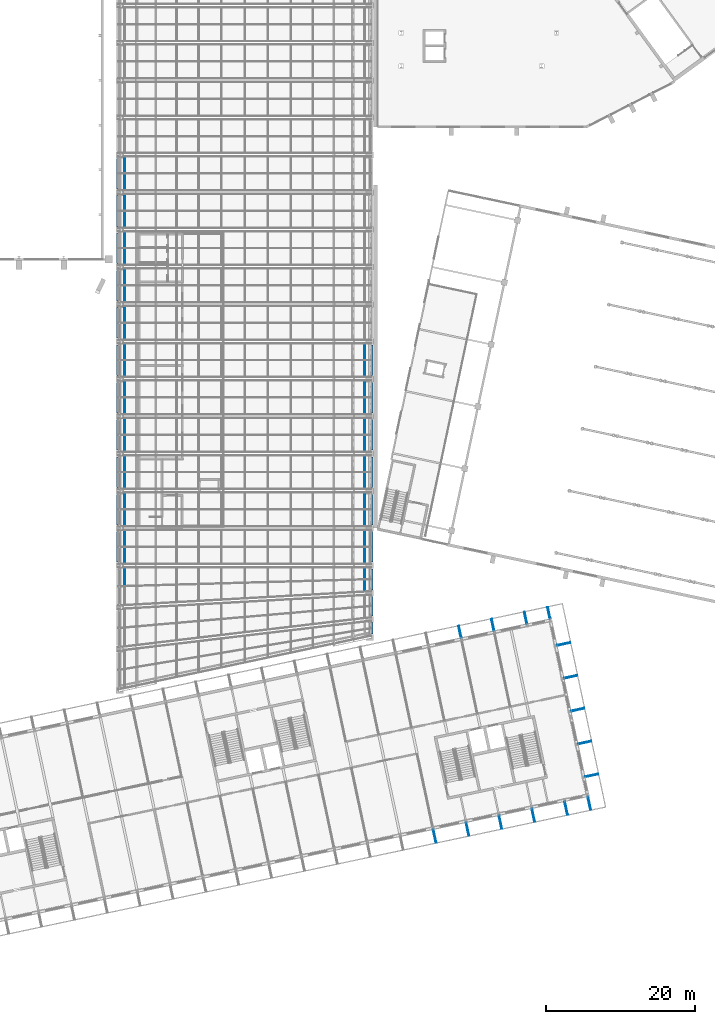
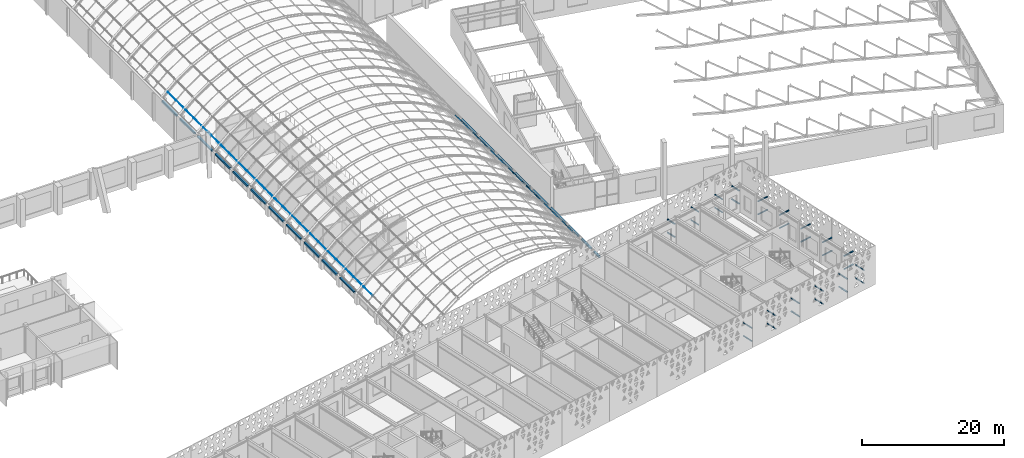
# One storey, part 154 of 182: 87 discrete accessories.
"""IFC4 building model written with IfcOpenShell, lengths in metres."""

from ifc_helpers import new_model, si_unit, direction, frame, origin, origin_2d, place, context, subcontext, project, spatial, polyline, rectangle, outline, extrude, material, material_profile, profile_set, type_object, element, save


model = new_model("IFC4")

# Units and contexts
model_context = context("Model", 3, precision=1e-05, world=origin(), true_north=direction((0.0, 1.0)))
body_context = subcontext(model_context, "Body", "Model", "MODEL_VIEW")
ifc_project = project(units=[si_unit("LENGTHUNIT", "METRE"), si_unit("AREAUNIT", "SQUARE_METRE"), si_unit("VOLUMEUNIT", "CUBIC_METRE"), si_unit("PLANEANGLEUNIT", "RADIAN"), si_unit("MASSUNIT", "GRAM", prefix="KILO")], contexts=[model_context])

# Site, building, storey
site_placement = place(None, origin())
site = spatial("IfcSite", under=ifc_project, at=site_placement, CompositionType="ELEMENT")
building_placement = place(site_placement, origin())
building = spatial("IfcBuilding", under=site, at=building_placement, Name="Okhra Congress Centre", CompositionType="ELEMENT")
storey_placement = place(building_placement, frame((0.0, 0.0, 7.199951171875)))
storey = spatial("IfcBuildingStorey", under=building, at=storey_placement, Name="L01", CompositionType="ELEMENT", Elevation=7.199951171875)

# Discrete accessories
ifc_material_1 = material(Name="Stainless steel box gutter with self-regulating heating cable", Category="steel")
discrete_accessory_type_1 = type_object("IfcDiscreteAccessoryType", Name="Heated eaves gutter 300x300", PredefinedType="USERDEFINED", material=ifc_material_1)
discrete_accessory_1_placement = place(storey_placement, frame((189.300048828125, 82.58447265625, 1.5), z_axis=(0.0, 0.0, 1.0), x_axis=(1.0, 0.0, 0.0)))
element("IfcDiscreteAccessory", 1, at=discrete_accessory_1_placement, inside=storey, type_object=discrete_accessory_type_1, Name="Heated eaves gutter", ObjectType="HEATED GUTTER", PredefinedType="USERDEFINED", context=body_context, shape_type="SweptSolid", body=[
    extrude(rectangle(XDim=0.300048828125, YDim=1.53076171875, at=origin_2d()), origin(), (0.0, 0.0, 1.0), 0.300048828125),
])
discrete_accessory_2_placement = place(storey_placement, frame((189.300048828125, 85.550048828125, 1.5), z_axis=(0.0, 0.0, 1.0), x_axis=(1.0, 0.0, 0.0)))
element("IfcDiscreteAccessory", 2, at=discrete_accessory_2_placement, inside=storey, type_object=discrete_accessory_type_1, Name="Heated eaves gutter", ObjectType="HEATED GUTTER", PredefinedType="USERDEFINED", context=body_context, shape_type="SweptSolid", body=[
    extrude(rectangle(XDim=0.300048828125, YDim=2.60009765625, at=origin_2d()), origin(), (0.0, 0.0, 1.0), 0.300048828125),
])
discrete_accessory_3_placement = place(storey_placement, frame((189.300048828125, 89.14990234375, 1.5), z_axis=(0.0, 0.0, 1.0), x_axis=(1.0, 0.0, 0.0)))
element("IfcDiscreteAccessory", 3, at=discrete_accessory_3_placement, inside=storey, type_object=discrete_accessory_type_1, Name="Heated eaves gutter", ObjectType="HEATED GUTTER", PredefinedType="USERDEFINED", context=body_context, shape_type="SweptSolid", body=[
    extrude(rectangle(XDim=0.300048828125, YDim=2.800048828125, at=origin_2d()), origin(), (0.0, 0.0, 1.0), 0.300048828125),
])
for number, where, z_axis, x_axis, name in (
    (4, (155.199951171875, 93.5, 1.5), (0.0, 0.0, 1.0), (1.0, 0.0, 0.0), "Heated eaves gutter"),
    (5, (189.300048828125, 93.5, 1.5), (0.0, 0.0, 1.0), (1.0, 0.0, 0.0), "Heated eaves gutter"),
    (6, (155.199951171875, 98.5, 1.5), (0.0, 0.0, 1.0), (1.0, 0.0, 0.0), "Heated eaves gutter"),
    (7, (189.300048828125, 98.5, 1.5), (0.0, 0.0, 1.0), (1.0, 0.0, 0.0), "Heated eaves gutter"),
    (8, (155.199951171875, 103.5, 1.5), (0.0, 0.0, 1.0), (1.0, 0.0, 0.0), "Heated eaves gutter"),
    (9, (189.300048828125, 103.5, 1.5), (0.0, 0.0, 1.0), (1.0, 0.0, 0.0), "Heated eaves gutter"),
    (10, (155.199951171875, 108.5, 1.5), (0.0, 0.0, 1.0), (1.0, 0.0, 0.0), "Heated eaves gutter"),
    (11, (189.300048828125, 108.5, 1.5), (0.0, 0.0, 1.0), (1.0, 0.0, 0.0), "Heated eaves gutter"),
    (12, (155.199951171875, 113.5, 1.5), (0.0, 0.0, 1.0), (1.0, 0.0, 0.0), "Heated eaves gutter"),
    (13, (189.300048828125, 113.5, 1.5), (0.0, 0.0, 1.0), (1.0, 0.0, 0.0), "Heated eaves gutter"),
    (14, (155.199951171875, 118.5, 1.5), (0.0, 0.0, 1.0), (1.0, 0.0, 0.0), "Heated eaves gutter"),
    (15, (189.300048828125, 118.5, 1.5), (0.0, 0.0, 1.0), (1.0, 0.0, 0.0), "Heated eaves gutter"),
    (16, (155.199951171875, 123.5, 1.5), (0.0, 0.0, 1.0), (1.0, 0.0, 0.0), "Heated eaves gutter"),
    (17, (155.199951171875, 128.5, 1.5), (0.0, 0.0, 1.0), (1.0, 0.0, 0.0), "Heated eaves gutter"),
    (18, (155.199951171875, 133.5, 1.5), (0.0, 0.0, 1.0), (1.0, 0.0, 0.0), "Heated eaves gutter"),
    (19, (155.199951171875, 138.5, 1.5), (0.0, 0.0, 1.0), (1.0, 0.0, 0.0), "Heated eaves gutter"),
    (20, (155.199951171875, 143.5, 1.5), (0.0, 0.0, 1.0), (1.0, 0.0, 0.0), "Heated eaves gutter"),
):
    element("IfcDiscreteAccessory", number, at=place(storey_placement, frame(where, z_axis=z_axis, x_axis=x_axis)), inside=storey, type_object=discrete_accessory_type_1, Name=name, ObjectType="HEATED GUTTER", PredefinedType="USERDEFINED", context=body_context, shape_type="SweptSolid", body=[
        extrude(rectangle(XDim=0.300048828125, YDim=4.10009765625, at=origin_2d()), origin(), (0.0, 0.0, 1.0), 0.300048828125),
    ])
ifc_material_2 = material(Name="Steel S355J2 outrigger, galvanised", Category="steel")
ifc_material_profile = material_profile(ifc_material_2, rectangle(XDim=0.1201171875, YDim=0.1201171875, at=origin_2d()), Name="Screen outrigger bracket 120x120")
ifc_profile_set = profile_set([ifc_material_profile], Name="Steel S355J2 outrigger, galvanised")
discrete_accessory_type_2 = type_object("IfcDiscreteAccessoryType", Name="Screen outrigger bracket 120x120", PredefinedType="BRACKET", material=ifc_profile_set)
for number, where, z_axis, x_axis, name in (
    (21, (197.50830078125, 55.59765625, 1.130126953125), (0.207913352163, -0.978147247602, 0.0), (0.978147247602, 0.207913352163, 0.0), "Screen outrigger 552"),
    (22, (197.50830078125, 55.59765625, 3.3701171875), (0.207913352163, -0.978147247602, 0.0), (0.978147247602, 0.207913352163, 0.0), "Screen outrigger 553"),
):
    element("IfcDiscreteAccessory", number, at=place(storey_placement, frame(where, z_axis=z_axis, x_axis=x_axis)), inside=storey, type_object=discrete_accessory_type_2, Name=name, PredefinedType="BRACKET", context=body_context, shape_type="SweptSolid", body=[
        extrude(rectangle(XDim=0.1201171875, YDim=0.1201171875, at=origin_2d()), origin(), (0.0, 0.0, 1.0), 1.764892578125),
    ])
for number, where, z_axis, x_axis, name in (
    (23, (201.909912109375, 56.533447265625, 1.130126953125), (0.207885223274, -0.97815322621, 0.0), (0.97815322621, 0.207885223274, 0.0), "Screen outrigger 573"),
    (24, (201.909912109375, 56.533447265625, 3.3701171875), (0.207885223274, -0.97815322621, 0.0), (0.97815322621, 0.207885223274, 0.0), "Screen outrigger 574"),
    (25, (206.311767578125, 57.468994140625, 1.130126953125), (0.207885223274, -0.97815322621, 0.0), (0.97815322621, 0.207885223274, 0.0), "Screen outrigger 594"),
    (26, (206.311767578125, 57.468994140625, 3.3701171875), (0.207885223274, -0.97815322621, 0.0), (0.97815322621, 0.207885223274, 0.0), "Screen outrigger 595"),
):
    element("IfcDiscreteAccessory", number, at=place(storey_placement, frame(where, z_axis=z_axis, x_axis=x_axis)), inside=storey, type_object=discrete_accessory_type_2, Name=name, PredefinedType="BRACKET", context=body_context, shape_type="SweptSolid", body=[
        extrude(rectangle(XDim=0.1201171875, YDim=0.1201171875, at=origin_2d()), origin(), (0.0, 0.0, 1.0), 1.76513671875),
    ])
for number, where, z_axis, x_axis, name in (
    (27, (201.230224609375, 81.374755859375, 1.130126953125), (-0.207920316953, 0.978145767152, 0.0), (-0.978145767152, -0.207920316953, 0.0), "Screen outrigger 605"),
    (28, (201.230224609375, 81.374755859375, 3.3701171875), (-0.207920316953, 0.978145767152, 0.0), (-0.978145767152, -0.207920316953, 0.0), "Screen outrigger 606"),
):
    element("IfcDiscreteAccessory", number, at=place(storey_placement, frame(where, z_axis=z_axis, x_axis=x_axis)), inside=storey, type_object=discrete_accessory_type_2, Name=name, PredefinedType="BRACKET", context=body_context, shape_type="SweptSolid", body=[
        extrude(rectangle(XDim=0.1201171875, YDim=0.1201171875, at=origin_2d()), origin(), (0.0, 0.0, 1.0), 1.565185546875),
    ])
for number, where, z_axis, x_axis, name in (
    (29, (210.71337890625, 58.404541015625, 1.130126953125), (0.207913352163, -0.978147247602, 0.0), (0.978147247602, 0.207913352163, 0.0), "Screen outrigger 616"),
    (30, (210.71337890625, 58.404541015625, 3.3701171875), (0.207913352163, -0.978147247602, 0.0), (0.978147247602, 0.207913352163, 0.0), "Screen outrigger 617"),
):
    element("IfcDiscreteAccessory", number, at=place(storey_placement, frame(where, z_axis=z_axis, x_axis=x_axis)), inside=storey, type_object=discrete_accessory_type_2, Name=name, PredefinedType="BRACKET", context=body_context, shape_type="SweptSolid", body=[
        extrude(rectangle(XDim=0.1201171875, YDim=0.1201171875, at=origin_2d()), origin(), (0.0, 0.0, 1.0), 1.764892578125),
    ])
for number, where, z_axis, x_axis, name in (
    (31, (205.6318359375, 82.310546875, 1.130126953125), (-0.207802780084, 0.978170744088, 0.0), (-0.978170744088, -0.207802780084, 0.0), "Screen outrigger 627"),
    (32, (205.6318359375, 82.310546875, 3.3701171875), (-0.207802780084, 0.978170744088, 0.0), (-0.978170744088, -0.207802780084, 0.0), "Screen outrigger 628"),
):
    element("IfcDiscreteAccessory", number, at=place(storey_placement, frame(where, z_axis=z_axis, x_axis=x_axis)), inside=storey, type_object=discrete_accessory_type_2, Name=name, PredefinedType="BRACKET", context=body_context, shape_type="SweptSolid", body=[
        extrude(rectangle(XDim=0.1201171875, YDim=0.1201171875, at=origin_2d()), origin(), (0.0, 0.0, 1.0), 1.56494140625),
    ])
for number, where, z_axis, x_axis, name in (
    (33, (215.114990234375, 59.340087890625, 1.130126953125), (0.207913352163, -0.978147247602, 0.0), (0.978147247602, 0.207913352163, 0.0), "Screen outrigger 638"),
    (34, (215.114990234375, 59.340087890625, 3.3701171875), (0.207913352163, -0.978147247602, 0.0), (0.978147247602, 0.207913352163, 0.0), "Screen outrigger 639"),
):
    element("IfcDiscreteAccessory", number, at=place(storey_placement, frame(where, z_axis=z_axis, x_axis=x_axis)), inside=storey, type_object=discrete_accessory_type_2, Name=name, PredefinedType="BRACKET", context=body_context, shape_type="SweptSolid", body=[
        extrude(rectangle(XDim=0.1201171875, YDim=0.1201171875, at=origin_2d()), origin(), (0.0, 0.0, 1.0), 1.764892578125),
    ])
for number, where, z_axis, x_axis, name in (
    (35, (210.03369140625, 83.24609375, 1.130126953125), (-0.207952044176, 0.978139022493, 0.0), (-0.978139022493, -0.207952044176, 0.0), "Screen outrigger 649"),
    (36, (210.03369140625, 83.24609375, 3.3701171875), (-0.207952044176, 0.978139022493, 0.0), (-0.978139022493, -0.207952044176, 0.0), "Screen outrigger 650"),
):
    element("IfcDiscreteAccessory", number, at=place(storey_placement, frame(where, z_axis=z_axis, x_axis=x_axis)), inside=storey, type_object=discrete_accessory_type_2, Name=name, PredefinedType="BRACKET", context=body_context, shape_type="SweptSolid", body=[
        extrude(rectangle(XDim=0.1201171875, YDim=0.1201171875, at=origin_2d()), origin(), (0.0, 0.0, 1.0), 1.56494140625),
    ])
for number, where, z_axis, x_axis, name in (
    (37, (218.220703125, 60.000244140625, 1.130126953125), (0.207913352163, -0.978147247602, 0.0), (0.978147247602, 0.207913352163, 0.0), "Screen outrigger 660"),
    (38, (218.220703125, 60.000244140625, 3.3701171875), (0.207913352163, -0.978147247602, 0.0), (0.978147247602, 0.207913352163, 0.0), "Screen outrigger 661"),
):
    element("IfcDiscreteAccessory", number, at=place(storey_placement, frame(where, z_axis=z_axis, x_axis=x_axis)), inside=storey, type_object=discrete_accessory_type_2, Name=name, PredefinedType="BRACKET", context=body_context, shape_type="SweptSolid", body=[
        extrude(rectangle(XDim=0.1201171875, YDim=0.1201171875, at=origin_2d()), origin(), (0.0, 0.0, 1.0), 1.764892578125),
    ])
for number, where, z_axis, x_axis, name in (
    (39, (213.13916015625, 83.90625, 1.130126953125), (-0.207802780084, 0.978170744088, 0.0), (-0.978170744088, -0.207802780084, 0.0), "Screen outrigger 671"),
    (40, (213.13916015625, 83.90625, 3.3701171875), (-0.207802780084, 0.978170744088, 0.0), (-0.978170744088, -0.207802780084, 0.0), "Screen outrigger 672"),
):
    element("IfcDiscreteAccessory", number, at=place(storey_placement, frame(where, z_axis=z_axis, x_axis=x_axis)), inside=storey, type_object=discrete_accessory_type_2, Name=name, PredefinedType="BRACKET", context=body_context, shape_type="SweptSolid", body=[
        extrude(rectangle(XDim=0.1201171875, YDim=0.1201171875, at=origin_2d()), origin(), (0.0, 0.0, 1.0), 1.56494140625),
    ])
for number, where, z_axis, x_axis, name in (
    (41, (217.871337890625, 62.70166015625, 1.130126953125), (0.978147247602, 0.207913352163, 0.0), (-0.207913352163, 0.978147247602, 0.0), "Screen outrigger 690"),
    (42, (217.871337890625, 62.70166015625, 3.3701171875), (0.978147247602, 0.207913352163, 0.0), (-0.207913352163, 0.978147247602, 0.0), "Screen outrigger 691"),
    (43, (216.935791015625, 67.103271484375, 1.130126953125), (0.978147247602, 0.207913352163, 0.0), (-0.207913352163, 0.978147247602, 0.0), "Screen outrigger 708"),
    (44, (216.935791015625, 67.103271484375, 3.3701171875), (0.978147247602, 0.207913352163, 0.0), (-0.207913352163, 0.978147247602, 0.0), "Screen outrigger 709"),
):
    element("IfcDiscreteAccessory", number, at=place(storey_placement, frame(where, z_axis=z_axis, x_axis=x_axis)), inside=storey, type_object=discrete_accessory_type_2, Name=name, PredefinedType="BRACKET", context=body_context, shape_type="SweptSolid", body=[
        extrude(rectangle(XDim=0.1201171875, YDim=0.1201171875, at=origin_2d()), origin(), (0.0, 0.0, 1.0), 1.764892578125),
    ])
for number, where, z_axis, x_axis, name in (
    (45, (216.0, 71.5048828125, 1.130126953125), (0.978125092897, 0.208017553693, 0.0), (-0.208017553693, 0.978125092897, 0.0), "Screen outrigger 726"),
    (46, (216.0, 71.5048828125, 3.3701171875), (0.978125092897, 0.208017553693, 0.0), (-0.208017553693, 0.978125092897, 0.0), "Screen outrigger 727"),
    (47, (215.064453125, 75.90673828125, 1.130126953125), (0.97815322621, 0.207885223274, 0.0), (-0.207885223274, 0.97815322621, 0.0), "Screen outrigger 744"),
    (48, (215.064453125, 75.90673828125, 3.3701171875), (0.97815322621, 0.207885223274, 0.0), (-0.207885223274, 0.97815322621, 0.0), "Screen outrigger 745"),
):
    element("IfcDiscreteAccessory", number, at=place(storey_placement, frame(where, z_axis=z_axis, x_axis=x_axis)), inside=storey, type_object=discrete_accessory_type_2, Name=name, PredefinedType="BRACKET", context=body_context, shape_type="SweptSolid", body=[
        extrude(rectangle(XDim=0.1201171875, YDim=0.1201171875, at=origin_2d()), origin(), (0.0, 0.0, 1.0), 1.76513671875),
    ])
for number, where, z_axis, x_axis, name in (
    (49, (214.12890625, 80.308349609375, 1.130126953125), (0.978147247602, 0.207913352163, 0.0), (-0.207913352163, 0.978147247602, 0.0), "Screen outrigger 762"),
    (50, (214.12890625, 80.308349609375, 3.3701171875), (0.978147247602, 0.207913352163, 0.0), (-0.207913352163, 0.978147247602, 0.0), "Screen outrigger 763"),
):
    element("IfcDiscreteAccessory", number, at=place(storey_placement, frame(where, z_axis=z_axis, x_axis=x_axis)), inside=storey, type_object=discrete_accessory_type_2, Name=name, PredefinedType="BRACKET", context=body_context, shape_type="SweptSolid", body=[
        extrude(rectangle(XDim=0.1201171875, YDim=0.1201171875, at=origin_2d()), origin(), (0.0, 0.0, 1.0), 1.764892578125),
    ])
ifc_material_3 = material(Name="Stainless steel snow retention bar clamped to the standing seams", Category="steel")
discrete_accessory_type_3 = type_object("IfcDiscreteAccessoryType", Name="Snow guard bar 40x120", PredefinedType="USERDEFINED", material=ifc_material_3)
discrete_accessory_4_placement = place(storey_placement, frame((156.125, 88.285888671875, 2.74560546875), z_axis=(-0.666258670845, 0.0, 0.745720714157), x_axis=(0.745720714157, 0.0, 0.666258670845)))
element("IfcDiscreteAccessory", 51, at=discrete_accessory_4_placement, inside=storey, type_object=discrete_accessory_type_3, Name="Snow guard bar", ObjectType="SNOW GUARD", PredefinedType="USERDEFINED", context=body_context, shape_type="SweptSolid", body=[
    extrude(outline(polyline([(0.0, 0.0), (0.03994143609603103, 0.0), (0.03994143609603103, 2.4208984375), (0.0, 2.4208984375), (0.0, 0.0)])), origin(), (0.0, 0.0, -1.0), 0.1201171875),
])
for number, where, z_axis, x_axis, name in (
    (52, (188.34521484375, 87.5576171875, 2.772216796875), (0.666258670845, 0.0, 0.745720714157), (0.745720714157, 0.0, -0.666258670845), "Snow guard bar"),
    (53, (188.34521484375, 89.192138671875, 2.772216796875), (0.666258670845, 0.0, 0.745720714157), (0.745720714157, 0.0, -0.666258670845), "Snow guard bar"),
):
    element("IfcDiscreteAccessory", number, at=place(storey_placement, frame(where, z_axis=z_axis, x_axis=x_axis)), inside=storey, type_object=discrete_accessory_type_3, Name=name, ObjectType="SNOW GUARD", PredefinedType="USERDEFINED", context=body_context, shape_type="SweptSolid", body=[
        extrude(outline(polyline([(0.0, 0.0), (0.03994143609603103, 0.0), (0.03994143609603103, 1.5146484375), (0.0, 1.5146484375), (0.0, 0.0)])), origin(), (0.0, 0.0, -1.0), 0.1201171875),
    ])
for number, where, z_axis, x_axis, name in (
    (54, (156.125, 91.293212890625, 2.74560546875), (-0.666258670845, 0.0, 0.745720714157), (0.745720714157, 0.0, 0.666258670845), "Snow guard bar"),
    (55, (156.125, 93.56005859375, 2.74560546875), (-0.666258670845, 0.0, 0.745720714157), (0.745720714157, 0.0, 0.666258670845), "Snow guard bar"),
    (56, (188.34521484375, 91.293212890625, 2.772216796875), (0.666258670845, 0.0, 0.745720714157), (0.745720714157, 0.0, -0.666258670845), "Snow guard bar"),
    (57, (188.34521484375, 93.56005859375, 2.772216796875), (0.666258670845, 0.0, 0.745720714157), (0.745720714157, 0.0, -0.666258670845), "Snow guard bar"),
    (58, (156.125, 96.293212890625, 2.74560546875), (-0.666258670845, 0.0, 0.745720714157), (0.745720714157, 0.0, 0.666258670845), "Snow guard bar"),
    (59, (156.125, 98.56005859375, 2.74560546875), (-0.666258670845, 0.0, 0.745720714157), (0.745720714157, 0.0, 0.666258670845), "Snow guard bar"),
    (60, (188.34521484375, 96.293212890625, 2.772216796875), (0.666258670845, 0.0, 0.745720714157), (0.745720714157, 0.0, -0.666258670845), "Snow guard bar"),
    (61, (188.34521484375, 98.56005859375, 2.772216796875), (0.666258670845, 0.0, 0.745720714157), (0.745720714157, 0.0, -0.666258670845), "Snow guard bar"),
    (62, (156.125, 101.293212890625, 2.74560546875), (-0.666258670845, 0.0, 0.745720714157), (0.745720714157, 0.0, 0.666258670845), "Snow guard bar"),
    (63, (156.125, 103.56005859375, 2.74560546875), (-0.666258670845, 0.0, 0.745720714157), (0.745720714157, 0.0, 0.666258670845), "Snow guard bar"),
    (64, (188.34521484375, 101.293212890625, 2.772216796875), (0.666258670845, 0.0, 0.745720714157), (0.745720714157, 0.0, -0.666258670845), "Snow guard bar"),
    (65, (188.34521484375, 103.56005859375, 2.772216796875), (0.666258670845, 0.0, 0.745720714157), (0.745720714157, 0.0, -0.666258670845), "Snow guard bar"),
    (66, (156.125, 106.293212890625, 2.74560546875), (-0.666258670845, 0.0, 0.745720714157), (0.745720714157, 0.0, 0.666258670845), "Snow guard bar"),
    (67, (156.125, 108.56005859375, 2.74560546875), (-0.666258670845, 0.0, 0.745720714157), (0.745720714157, 0.0, 0.666258670845), "Snow guard bar"),
    (68, (188.34521484375, 106.293212890625, 2.772216796875), (0.666258670845, 0.0, 0.745720714157), (0.745720714157, 0.0, -0.666258670845), "Snow guard bar"),
    (69, (188.34521484375, 108.56005859375, 2.772216796875), (0.666258670845, 0.0, 0.745720714157), (0.745720714157, 0.0, -0.666258670845), "Snow guard bar"),
    (70, (156.125, 111.293212890625, 2.74560546875), (-0.666258670845, 0.0, 0.745720714157), (0.745720714157, 0.0, 0.666258670845), "Snow guard bar"),
    (71, (156.125, 113.56005859375, 2.74560546875), (-0.666258670845, 0.0, 0.745720714157), (0.745720714157, 0.0, 0.666258670845), "Snow guard bar"),
    (72, (188.34521484375, 111.293212890625, 2.772216796875), (0.666258670845, 0.0, 0.745720714157), (0.745720714157, 0.0, -0.666258670845), "Snow guard bar"),
    (73, (188.34521484375, 113.56005859375, 2.772216796875), (0.666258670845, 0.0, 0.745720714157), (0.745720714157, 0.0, -0.666258670845), "Snow guard bar"),
    (74, (156.125, 116.293212890625, 2.74560546875), (-0.666258670845, 0.0, 0.745720714157), (0.745720714157, 0.0, 0.666258670845), "Snow guard bar"),
    (75, (156.125, 118.56005859375, 2.74560546875), (-0.666258670845, 0.0, 0.745720714157), (0.745720714157, 0.0, 0.666258670845), "Snow guard bar"),
    (76, (188.34521484375, 116.293212890625, 2.772216796875), (0.666258670845, 0.0, 0.745720714157), (0.745720714157, 0.0, -0.666258670845), "Snow guard bar"),
    (77, (188.34521484375, 118.56005859375, 2.772216796875), (0.666258670845, 0.0, 0.745720714157), (0.745720714157, 0.0, -0.666258670845), "Snow guard bar"),
    (78, (156.125, 121.293212890625, 2.74560546875), (-0.666258670845, 0.0, 0.745720714157), (0.745720714157, 0.0, 0.666258670845), "Snow guard bar"),
    (79, (156.125, 123.56005859375, 2.74560546875), (-0.666258670845, 0.0, 0.745720714157), (0.745720714157, 0.0, 0.666258670845), "Snow guard bar"),
    (80, (156.125, 126.293212890625, 2.74560546875), (-0.666258670845, 0.0, 0.745720714157), (0.745720714157, 0.0, 0.666258670845), "Snow guard bar"),
    (81, (156.125, 128.56005859375, 2.74560546875), (-0.666258670845, 0.0, 0.745720714157), (0.745720714157, 0.0, 0.666258670845), "Snow guard bar"),
    (82, (156.125, 131.293212890625, 2.74560546875), (-0.666258670845, 0.0, 0.745720714157), (0.745720714157, 0.0, 0.666258670845), "Snow guard bar"),
    (83, (156.125, 133.56005859375, 2.74560546875), (-0.666258670845, 0.0, 0.745720714157), (0.745720714157, 0.0, 0.666258670845), "Snow guard bar"),
    (84, (156.125, 136.293212890625, 2.74560546875), (-0.666258670845, 0.0, 0.745720714157), (0.745720714157, 0.0, 0.666258670845), "Snow guard bar"),
    (85, (156.125, 138.56005859375, 2.74560546875), (-0.666258670845, 0.0, 0.745720714157), (0.745720714157, 0.0, 0.666258670845), "Snow guard bar"),
    (86, (156.125, 141.293212890625, 2.74560546875), (-0.666258670845, 0.0, 0.745720714157), (0.745720714157, 0.0, 0.666258670845), "Snow guard bar"),
    (87, (156.125, 143.56005859375, 2.74560546875), (-0.666258670845, 0.0, 0.745720714157), (0.745720714157, 0.0, 0.666258670845), "Snow guard bar"),
):
    element("IfcDiscreteAccessory", number, at=place(storey_placement, frame(where, z_axis=z_axis, x_axis=x_axis)), inside=storey, type_object=discrete_accessory_type_3, Name=name, ObjectType="SNOW GUARD", PredefinedType="USERDEFINED", context=body_context, shape_type="SweptSolid", body=[
        extrude(outline(polyline([(0.0, 0.0), (0.03994143609603103, 0.0), (0.03994143609603103, 2.1467285156250004), (0.0, 2.1467285156250004), (0.0, 0.0)])), origin(), (0.0, 0.0, -1.0), 0.1201171875),
    ])

save(model, "model.ifc")
